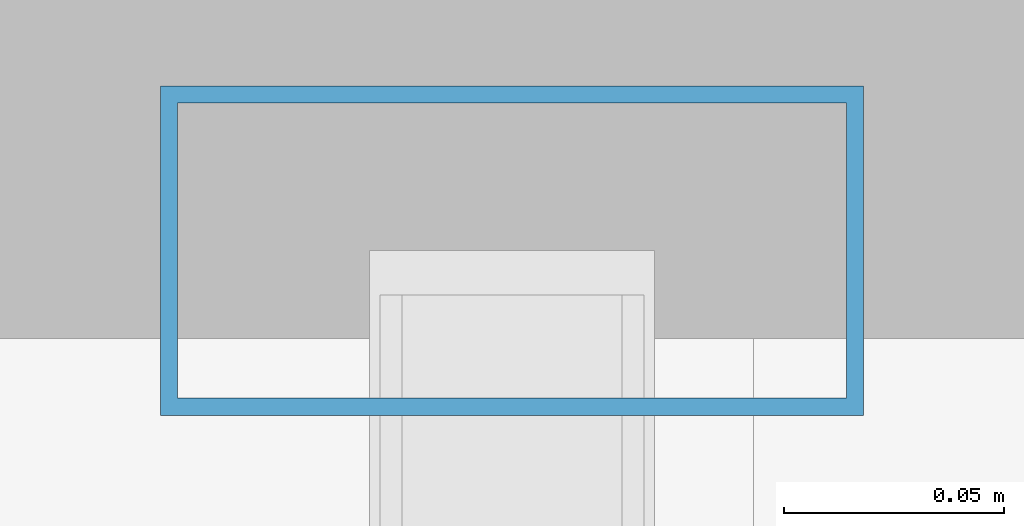
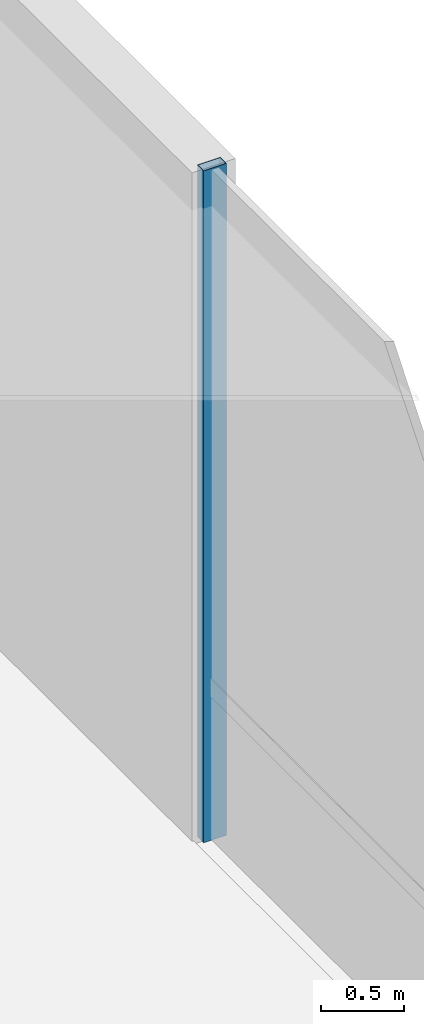
# One storey, part 24 of 39: 1 member, 1 element without a shape of its own.
"""IFC4 building model written with IfcOpenShell, lengths in metres."""

import ifcopenshell
import ifcopenshell.guid

model = None  # the IFC model being written
_history = None  # IfcOwnerHistory: only IFC2X3 demands one
_inside = {}  # id of a spatial element -> (the spatial element, [elements in it])
_under = {}  # id of a project, library or spatial element -> (it, [spatial elements below it])
_declared = {}  # id of a project -> (the project, [libraries it declares])
_typed = {}  # id of a type object -> (the type object, [elements of that type])
_made_of = {}  # id of a material, layer set ... -> (it, [elements and type objects made of it])


def new_model(schema):
    """Start an empty IFC model of exactly this schema.

    Asked for "IFC4X3", IfcOpenShell would pick the latest addendum, in which some entities
    have other attributes; the version numbers below select the first issue.
    IFC2X3 requires an IfcOwnerHistory on every rooted entity: one is made here for all.
    """
    global model, _history
    if schema == "IFC4X3":
        model = ifcopenshell.file(schema_version=(4, 3, 0, 0))
    else:
        model = ifcopenshell.file(schema=schema)
    _inside.clear()
    _under.clear()
    _declared.clear()
    _typed.clear()
    _made_of.clear()
    _history = None
    if model.schema == "IFC2X3":
        org = make("IfcOrganization", Name="unknown")
        user = make(
            "IfcPersonAndOrganization",
            ThePerson=make("IfcPerson", FamilyName="unknown"),
            TheOrganization=org,
        )
        app = make(
            "IfcApplication",
            ApplicationDeveloper=org,
            Version="unknown",
            ApplicationFullName="unknown",
            ApplicationIdentifier="unknown",
        )
        _history = make(
            "IfcOwnerHistory",
            OwningUser=user,
            OwningApplication=app,
            ChangeAction="ADDED",
            CreationDate=0,
        )
    return model


def make(cls, **values):
    """One entity of the class cls with the attributes given. An attribute that is None is left unset."""
    return model.create_entity(
        cls, **{name: value for name, value in values.items() if value is not None}
    )


def rooted(cls, **values):
    """An entity with a GlobalId (a new one), such as an element, a storey or a relation."""
    return make(cls, GlobalId=ifcopenshell.guid.new(), OwnerHistory=_history, **values)


def si_unit(unit_type, name, prefix=None):
    """IfcSIUnit, for example si_unit("LENGTHUNIT", "METRE", prefix="MILLI")."""
    return make("IfcSIUnit", UnitType=unit_type, Prefix=prefix, Name=name)


def assignment(units):
    """IfcUnitAssignment: the units of a project."""
    return None if units is None else make("IfcUnitAssignment", Units=units)


def point(xyz):
    """IfcCartesianPoint."""
    return None if xyz is None else make("IfcCartesianPoint", Coordinates=xyz)


def direction(xyz):
    """IfcDirection."""
    return None if xyz is None else make("IfcDirection", DirectionRatios=xyz)


def frame(location, z_axis=None, x_axis=None):
    """IfcAxis2Placement3D, a coordinate frame: its origin and axes. An axis left out is left unset."""
    return make(
        "IfcAxis2Placement3D",
        Location=point(location),
        Axis=direction(z_axis),
        RefDirection=direction(x_axis),
    )


def frame_2d(location, x_axis=None):
    """IfcAxis2Placement2D, a coordinate frame in the plane: its origin and x axis."""
    return make(
        "IfcAxis2Placement2D", Location=point(location), RefDirection=direction(x_axis)
    )


def origin():
    """The frame at (0, 0, 0) with its axes left unset."""
    return frame((0.0, 0.0, 0.0))


def origin_2d():
    """The frame at (0, 0) in the plane with its x axis left unset."""
    return frame_2d((0.0, 0.0))


def place(relative_to, where):
    """IfcLocalPlacement: puts the frame where relative to a parent placement (None: the world)."""
    return make(
        "IfcLocalPlacement", PlacementRelTo=relative_to, RelativePlacement=where
    )


def context(
    kind, dimensions, precision=None, world=None, true_north=None, identifier=None
):
    """IfcGeometricRepresentationContext, for example the 3D "Model" context."""
    return make(
        "IfcGeometricRepresentationContext",
        ContextIdentifier=identifier,
        ContextType=kind,
        CoordinateSpaceDimension=dimensions,
        Precision=precision,
        WorldCoordinateSystem=world,
        TrueNorth=true_north,
    )


def subcontext(parent, identifier, kind, view, scale=None):
    """IfcGeometricRepresentationSubContext, for example "Body" below "Model"."""
    return make(
        "IfcGeometricRepresentationSubContext",
        ContextIdentifier=identifier,
        ContextType=kind,
        ParentContext=parent,
        TargetScale=scale,
        TargetView=view,
    )


def project(units=None, contexts=None):
    """IfcProject with its units and contexts."""
    return rooted(
        "IfcProject",
        Name="project",
        RepresentationContexts=contexts,
        UnitsInContext=assignment(units),
    )


def spatial(cls, under=None, at=None, **own):
    """A site, building, storey or space (cls), placed at a placement, below another one or the project."""
    s = rooted(cls, ObjectPlacement=at, **own)
    if under is not None:
        _under.setdefault(under.id(), (under, []))[1].append(s)
    return s


def profile(cls, at=None, kind="AREA", **sizes):
    """A parametric profile (cls). Its sizes go by their IFC names, for example OverallWidth=200.0."""
    return make(cls, ProfileType=kind, Position=at, **sizes)


def hollow_rectangle(**sizes):
    """IfcRectangleHollowProfileDef."""
    return profile("IfcRectangleHollowProfileDef", **sizes)


def extrude(swept, where, along, depth):
    """IfcExtrudedAreaSolid: the profile swept, set in the frame where, extruded along a direction by depth."""
    return make(
        "IfcExtrudedAreaSolid",
        SweptArea=swept,
        Position=where,
        ExtrudedDirection=direction(along),
        Depth=depth,
    )


def shape(context_of_items, identifier, shape_type, items):
    """IfcShapeRepresentation: the items that make up one representation, for example the "Body"."""
    return make(
        "IfcShapeRepresentation",
        ContextOfItems=context_of_items,
        RepresentationIdentifier=identifier,
        RepresentationType=shape_type,
        Items=items,
    )


def source(mapping_origin, context_of_items, identifier, shape_type, items):
    """IfcRepresentationMap: a shape defined once, which mapped items show again and again."""
    return make(
        "IfcRepresentationMap",
        MappingOrigin=mapping_origin,
        MappedRepresentation=shape(context_of_items, identifier, shape_type, items),
    )


def transform(
    local_origin,
    x_axis=None,
    y_axis=None,
    z_axis=None,
    scale=None,
    scale2=None,
    scale3=None,
    uniform=True,
):
    """IfcCartesianTransformationOperator3D, or its non-uniform kind. x_axis, y_axis, z_axis: its Axis1, 2, 3."""
    if uniform:
        return make(
            "IfcCartesianTransformationOperator3D",
            Axis1=direction(x_axis),
            Axis2=direction(y_axis),
            LocalOrigin=point(local_origin),
            Scale=scale,
            Axis3=direction(z_axis),
        )
    return make(
        "IfcCartesianTransformationOperator3DnonUniform",
        Axis1=direction(x_axis),
        Axis2=direction(y_axis),
        LocalOrigin=point(local_origin),
        Scale=scale,
        Axis3=direction(z_axis),
        Scale2=scale2,
        Scale3=scale3,
    )


def mapped(mapping_source, mapping_target):
    """IfcMappedItem: shows the shape of a source again, moved by a transform."""
    return make(
        "IfcMappedItem", MappingSource=mapping_source, MappingTarget=mapping_target
    )


def material(Name=None, Category=None):
    """IfcMaterial."""
    return make("IfcMaterial", Name=Name, Category=Category)


def material_profile(
    of_material, cross_section, Name=None, Category=None, Priority=None
):
    """IfcMaterialProfile: a cross section and its material."""
    return make(
        "IfcMaterialProfile",
        Name=Name,
        Material=of_material,
        Profile=cross_section,
        Priority=Priority,
        Category=Category,
    )


def profile_set(profiles, Name=None, composite=None):
    """IfcMaterialProfileSet."""
    return make(
        "IfcMaterialProfileSet",
        Name=Name,
        MaterialProfiles=profiles,
        CompositeProfile=composite,
    )


def made_of(thing, what):
    """Note that an element or type object is made of a material, layer set ...; save() writes the relation."""
    if what is not None:
        _made_of.setdefault(what.id(), (what, []))[1].append(thing)
    return thing


def type_object(cls, material=None, **own):
    """A type object (cls), such as IfcWallType, which elements share."""
    return made_of(rooted(cls, **own), material)


def element(
    cls,
    number,
    at=None,
    inside=None,
    cuts=None,
    type_object=None,
    material=None,
    context=None,
    identifier="Body",
    shape_type=None,
    held_by="IfcProductDefinitionShape",
    body=None,
    shapes=None,
    **own,
):
    """One element of the class cls, such as IfcWall. Its Tag is "e" and its number.

    at: its placement. inside: the storey or other place that contains it. cuts: it is an
    opening in that element (IfcRelVoidsElement). A single representation is given by context,
    identifier, shape_type and body (its items); several are given by shapes. held_by: the class
    of the entity that holds the representations. save() writes the other relations.
    """
    e = rooted(cls, Tag="e%d" % number, ObjectPlacement=at, **own)
    if body is not None:
        shapes = [shape(context, identifier, shape_type, body)]
    if shapes is not None:
        e.Representation = make(held_by, Representations=shapes)
    if inside is not None:
        _inside.setdefault(inside.id(), (inside, []))[1].append(e)
    if cuts is not None:
        rooted(
            "IfcRelVoidsElement", RelatingBuildingElement=cuts, RelatedOpeningElement=e
        )
    if type_object is not None:
        _typed.setdefault(type_object.id(), (type_object, []))[1].append(e)
    return made_of(e, material)


def aggregate(whole, parts):
    """IfcRelAggregates: a whole, such as a stair, and the parts it consists of."""
    return rooted("IfcRelAggregates", RelatingObject=whole, RelatedObjects=parts)


def save(model, path):
    """Write the relations noted so far, then the file.

    IfcRelAggregates (storeys below a building ...), IfcRelContainedInSpatialStructure (elements
    in a storey), IfcRelDefinesByType, IfcRelAssociatesMaterial and IfcRelDeclares: one each for
    every whole, place, type object, material and project.
    """
    for whole, parts in _under.values():
        aggregate(whole, parts)
    for where, things in _inside.values():
        rooted(
            "IfcRelContainedInSpatialStructure",
            RelatedElements=things,
            RelatingStructure=where,
        )
    for kind, things in _typed.values():
        rooted("IfcRelDefinesByType", RelatedObjects=things, RelatingType=kind)
    for what, things in _made_of.values():
        rooted("IfcRelAssociatesMaterial", RelatedObjects=things, RelatingMaterial=what)
    for by, libraries in _declared.values():
        rooted("IfcRelDeclares", RelatingContext=by, RelatedDefinitions=libraries)
    model.write(path)


model = new_model("IFC4")

# Units and contexts
model_context = context("Model", 3, precision=1e-05, world=origin(), true_north=direction((0.0, 1.0)))
body_context = subcontext(model_context, "Body", "Model", "MODEL_VIEW")
ifc_project = project(units=[si_unit("LENGTHUNIT", "METRE"), si_unit("AREAUNIT", "SQUARE_METRE"), si_unit("VOLUMEUNIT", "CUBIC_METRE"), si_unit("PLANEANGLEUNIT", "RADIAN"), si_unit("MASSUNIT", "GRAM", prefix="KILO")], contexts=[model_context])

# Site, building, storey
site_placement = place(None, origin())
site = spatial("IfcSite", under=ifc_project, at=site_placement, CompositionType="ELEMENT")
building_placement = place(site_placement, origin())
building = spatial("IfcBuilding", under=site, at=building_placement, Name="Valdorenza Pilgrim Sanctuary Tower", CompositionType="ELEMENT")
storey_placement = place(building_placement, frame((0.0, 0.0, 5.199951171875)))
storey = spatial("IfcBuildingStorey", under=building, at=storey_placement, Name="L01", CompositionType="ELEMENT", Elevation=5.199951171875)

# Curtain wall, member
ifc_material_1 = material(Name="Curtain-wall IGU glazing", Category="glass")
curtain_wall_type = type_object("IfcCurtainWallType", Name="CW-SYS-01", PredefinedType="NOTDEFINED", material=ifc_material_1)
curtain_wall_placement = place(storey_placement, origin())
curtain_wall = element("IfcCurtainWall", 1, at=curtain_wall_placement, inside=storey, type_object=curtain_wall_type, Name="L01 Curtain Wall CW-POD-L01-EE", PredefinedType="NOTDEFINED")
ifc_material_2 = material(Name="Anodised aluminium AW-6060", Category="aluminium")
ifc_material_profile = material_profile(ifc_material_2, hollow_rectangle(XDim=0.074951171875, YDim=0.159912109375, WallThickness=0.00390625, at=origin_2d()), Name="ALU-M 160x75x4")
ifc_profile_set = profile_set([ifc_material_profile], Name="Anodised aluminium AW-6060")
member_type = type_object("IfcMemberType", Name="CW-MUL-01", PredefinedType="MULLION", material=ifc_profile_set)
shared_shape = source(origin(), body_context, "Body", "SweptSolid", [
    extrude(hollow_rectangle(XDim=0.074951171875, YDim=0.159912109375, WallThickness=0.00390625, at=origin_2d()), origin(), (0.0, 0.0, 1.0), 4.920166015625),
])
member_placement = place(storey_placement, frame((33.85009765625, 10.0, 0.0), z_axis=(0.0, 0.0, 1.0), x_axis=(0.0, 1.0, 0.0)))
member = element("IfcMember", 2, at=member_placement, type_object=member_type, Name="CW-POD-L01-EE Mullion 4", PredefinedType="MULLION", context=body_context, shape_type="MappedRepresentation", body=[
    mapped(shared_shape, transform((0.0, 0.0, 0.0), x_axis=(1.0, 0.0, 0.0), y_axis=(0.0, 1.0, 0.0), z_axis=(0.0, 0.0, 1.0), scale=1.0)),
])
aggregate(curtain_wall, [member])

save(model, "model.ifc")
